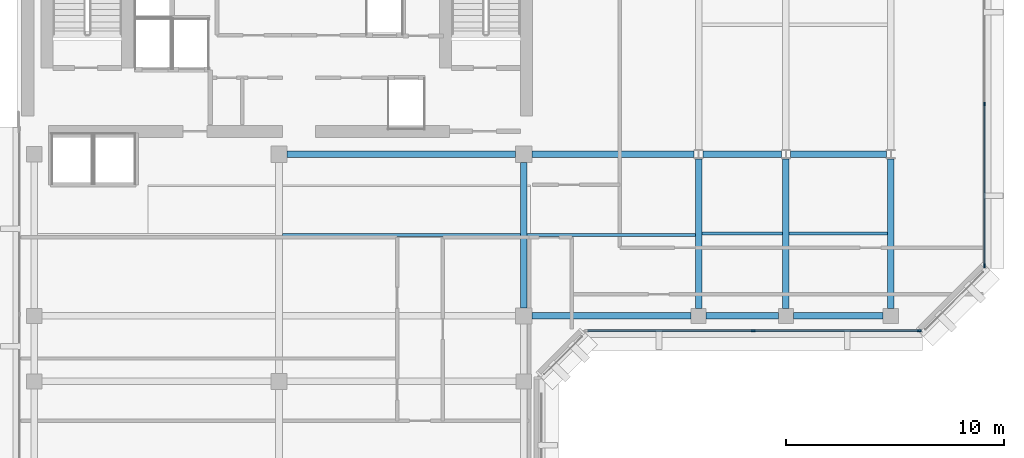
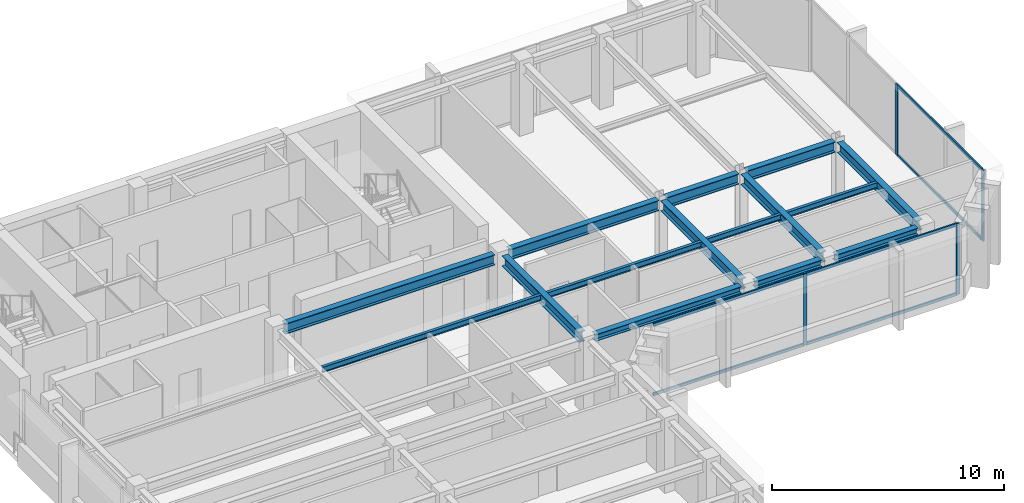
# One storey, part 3 of 11: 15 beams, 10 members, 2 elements without a shape of their own.
"""IFC4 building model written with IfcOpenShell, lengths in metres."""

from ifc_helpers import new_model, si_unit, direction, frame, origin, origin_2d, place, context, subcontext, project, spatial, rectangle, i_section, extrude, material, layer, layer_set, material_profile, profile_set, type_object, element, aggregate, save


model = new_model("IFC4")

# Units and contexts
model_context = context("Model", 3, precision=1e-05, world=origin(), true_north=direction((0.0, 1.0)))
body_context = subcontext(model_context, "Body", "Model", "MODEL_VIEW")
ifc_project = project(units=[si_unit("LENGTHUNIT", "METRE"), si_unit("AREAUNIT", "SQUARE_METRE"), si_unit("VOLUMEUNIT", "CUBIC_METRE"), si_unit("PLANEANGLEUNIT", "RADIAN"), si_unit("MASSUNIT", "GRAM", prefix="KILO")], contexts=[model_context])

# Site, building, storey
site_placement = place(None, origin())
site = spatial("IfcSite", under=ifc_project, at=site_placement, CompositionType="ELEMENT")
building_placement = place(site_placement, origin())
building = spatial("IfcBuilding", under=site, at=building_placement, Name="Kefirva Bronze Tower", CompositionType="ELEMENT")
storey_placement = place(building_placement, frame((0.0, 0.0, 323.72998046875)))
storey = spatial("IfcBuildingStorey", under=building, at=storey_placement, Name="L79", CompositionType="ELEMENT", Elevation=323.72998046875)

# Curtain wall, members
ifc_material_1 = material(Name="Bronze anodised aluminium", Category="aluminium")
ifc_layer = layer(ifc_material_1, 0.179931640625, Name="Bronze anodised aluminium")
ifc_layer_set = layer_set([ifc_layer], Name="Bronze anodised aluminium")
curtain_wall_type = type_object("IfcCurtainWallType", Name="Unitised Bronze Ribbon Curtain Wall Zone 4", PredefinedType="USERDEFINED", material=ifc_layer_set)
curtain_wall_1_placement = place(storey_placement, origin())
curtain_wall_1 = element("IfcCurtainWall", 1, at=curtain_wall_1_placement, inside=storey, type_object=curtain_wall_type, Name="L79 Curtain Wall 2", ObjectType="UNITISED CURTAIN WALL", PredefinedType="USERDEFINED")
ifc_material_profile_1 = material_profile(ifc_material_1, rectangle(XDim=0.074951171875, YDim=0.179931640625, at=origin_2d()), Name="ALU 75x180")
ifc_profile_set_1 = profile_set([ifc_material_profile_1], Name="Bronze anodised aluminium")
member_type_1 = type_object("IfcMemberType", Name="Bronze Mullion 75x180", PredefinedType="MULLION", material=ifc_profile_set_1)
member_1_placement = place(storey_placement, frame((33.699951171875, 25.1201171875, 0.0), z_axis=(0.0, 0.0, 1.0), x_axis=(0.0, 1.0, 0.0)))
member_1 = element("IfcMember", 2, at=member_1_placement, type_object=member_type_1, Name="CW-04 mullion 2", PredefinedType="MULLION", context=body_context, shape_type="SweptSolid", body=[
    extrude(rectangle(XDim=0.074951171875, YDim=0.179931640625, at=origin_2d()), origin(), (0.0, 0.0, 1.0), 3.739990234375),
])
member_2_placement = place(storey_placement, frame((41.3076171875, 25.1201171875, 0.0), z_axis=(0.0, 0.0, 1.0), x_axis=(0.0, 1.0, 0.0)))
member_2 = element("IfcMember", 3, at=member_2_placement, type_object=member_type_1, Name="CW-04 mullion 3", PredefinedType="MULLION", context=body_context, shape_type="SweptSolid", body=[
    extrude(rectangle(XDim=0.074951171875, YDim=0.179931640625, at=origin_2d()), origin(), (0.0, 0.0, 1.0), 3.739990234375),
])

curtain_wall_2_placement = place(storey_placement, origin())
curtain_wall_2 = element("IfcCurtainWall", 4, at=curtain_wall_2_placement, inside=storey, type_object=curtain_wall_type, Name="L79 Curtain Wall 3", ObjectType="UNITISED CURTAIN WALL", PredefinedType="USERDEFINED")
member_3_placement = place(storey_placement, frame((44.280029296875, 28.092529296875, 0.0), z_axis=(0.0, 0.0, 1.0), x_axis=(-1.0, 0.0, 0.0)))
member_3 = element("IfcMember", 5, at=member_3_placement, type_object=member_type_1, Name="CW-04 mullion 1", PredefinedType="MULLION", context=body_context, shape_type="SweptSolid", body=[
    extrude(rectangle(XDim=0.074951171875, YDim=0.179931640625, at=origin_2d()), origin(), (0.0, 0.0, 1.0), 3.739990234375),
])
member_4_placement = place(storey_placement, frame((44.280029296875, 35.5, 0.0), z_axis=(0.0, 0.0, 1.0), x_axis=(-1.0, 0.0, 0.0)))
member_4 = element("IfcMember", 6, at=member_4_placement, type_object=member_type_1, Name="CW-04 mullion 2", PredefinedType="MULLION", context=body_context, shape_type="SweptSolid", body=[
    extrude(rectangle(XDim=0.074951171875, YDim=0.179931640625, at=origin_2d()), origin(), (0.0, 0.0, 1.0), 3.739990234375),
])

# Member
ifc_material_profile_2 = material_profile(ifc_material_1, rectangle(XDim=0.074951171875, YDim=0.14990234375, at=origin_2d()), Name="ALU 75x150")
ifc_profile_set_2 = profile_set([ifc_material_profile_2], Name="Bronze anodised aluminium")
member_type_2 = type_object("IfcMemberType", Name="Bronze Transom 75x150", PredefinedType="USERDEFINED", material=ifc_profile_set_2)
member_5_placement = place(storey_placement, frame((26.1298828125, 25.1201171875, 0.03759765625), z_axis=(1.0, 0.0, 0.0), x_axis=(0.0, 1.0, 0.0)))
member_5 = element("IfcMember", 7, at=member_5_placement, type_object=member_type_2, Name="CW-04 transom 1.1", ObjectType="TRANSOM", PredefinedType="USERDEFINED", context=body_context, shape_type="SweptSolid", body=[
    extrude(rectangle(XDim=0.074951171875, YDim=0.14990234375, at=origin_2d()), origin(), (0.0, 0.0, 1.0), 7.53271484375),
])

member_6_placement = place(storey_placement, frame((26.1298828125, 25.1201171875, 3.70263671875), z_axis=(1.0, 0.0, 0.0), x_axis=(0.0, 1.0, 0.0)))
member_6 = element("IfcMember", 8, at=member_6_placement, type_object=member_type_2, Name="CW-04 transom 1.2", ObjectType="TRANSOM", PredefinedType="USERDEFINED", context=body_context, shape_type="SweptSolid", body=[
    extrude(rectangle(XDim=0.074951171875, YDim=0.14990234375, at=origin_2d()), origin(), (0.0, 0.0, 1.0), 7.53271484375),
])

member_7_placement = place(storey_placement, frame((33.737548828125, 25.1201171875, 0.03759765625), z_axis=(1.0, 0.0, 0.0), x_axis=(0.0, 1.0, 0.0)))
member_7 = element("IfcMember", 9, at=member_7_placement, type_object=member_type_2, Name="CW-04 transom 2.1", ObjectType="TRANSOM", PredefinedType="USERDEFINED", context=body_context, shape_type="SweptSolid", body=[
    extrude(rectangle(XDim=0.074951171875, YDim=0.14990234375, at=origin_2d()), origin(), (0.0, 0.0, 1.0), 7.532470703125),
])

member_8_placement = place(storey_placement, frame((33.737548828125, 25.1201171875, 3.70263671875), z_axis=(1.0, 0.0, 0.0), x_axis=(0.0, 1.0, 0.0)))
member_8 = element("IfcMember", 10, at=member_8_placement, type_object=member_type_2, Name="CW-04 transom 2.2", ObjectType="TRANSOM", PredefinedType="USERDEFINED", context=body_context, shape_type="SweptSolid", body=[
    extrude(rectangle(XDim=0.074951171875, YDim=0.14990234375, at=origin_2d()), origin(), (0.0, 0.0, 1.0), 7.532470703125),
])

aggregate(curtain_wall_1, [member_1, member_2, member_5, member_6, member_7, member_8])

member_9_placement = place(storey_placement, frame((44.280029296875, 28.1298828125, 0.03759765625), z_axis=(0.0, 1.0, 0.0), x_axis=(-1.0, 0.0, 0.0)))
member_9 = element("IfcMember", 11, at=member_9_placement, type_object=member_type_2, Name="CW-04 transom 1.1", ObjectType="TRANSOM", PredefinedType="USERDEFINED", context=body_context, shape_type="SweptSolid", body=[
    extrude(rectangle(XDim=0.074951171875, YDim=0.14990234375, at=origin_2d()), origin(), (0.0, 0.0, 1.0), 7.33251953125),
])

member_10_placement = place(storey_placement, frame((44.280029296875, 28.1298828125, 3.70263671875), z_axis=(0.0, 1.0, 0.0), x_axis=(-1.0, 0.0, 0.0)))
member_10 = element("IfcMember", 12, at=member_10_placement, type_object=member_type_2, Name="CW-04 transom 1.2", ObjectType="TRANSOM", PredefinedType="USERDEFINED", context=body_context, shape_type="SweptSolid", body=[
    extrude(rectangle(XDim=0.074951171875, YDim=0.14990234375, at=origin_2d()), origin(), (0.0, 0.0, 1.0), 7.33251953125),
])

aggregate(curtain_wall_2, [member_3, member_4, member_9, member_10])

# Beams
ifc_material_2 = material(Name="Steel S355", Category="steel")
ifc_material_profile_3 = material_profile(ifc_material_2, i_section(OverallWidth=0.14990234375, OverallDepth=0.300048828125, WebThickness=0.007080078125, FlangeThickness=0.0107421875, at=origin_2d()), Name="IPE 300")
ifc_profile_set_3 = profile_set([ifc_material_profile_3], Name="Steel S355")
beam_type_1 = type_object("IfcBeamType", Name="Steel Floor Joist IPE 300", PredefinedType="JOIST", material=ifc_profile_set_3)
beam_1_placement = place(storey_placement, frame((12.14990234375, 29.5, 3.590087890625), z_axis=(1.0, 0.0, 0.0), x_axis=(0.0, 1.0, 0.0)))
element("IfcBeam", 13, at=beam_1_placement, inside=storey, type_object=beam_type_1, Name="L79 JST-L79-12-295", PredefinedType="JOIST", context=body_context, shape_type="SweptSolid", body=[
    extrude(i_section(OverallWidth=0.14990234375, OverallDepth=0.300048828125, WebThickness=0.007080078125, FlangeThickness=0.0107421875, at=origin_2d()), origin(), (0.0, 0.0, 1.0), 10.900146484375),
])
beam_2_placement = place(storey_placement, frame((23.35009765625, 29.5, 3.590087890625), z_axis=(1.0, 0.0, 0.0), x_axis=(0.0, 1.0, 0.0)))
element("IfcBeam", 14, at=beam_2_placement, inside=storey, type_object=beam_type_1, Name="L79 JST-L79-23-295", PredefinedType="JOIST", context=body_context, shape_type="SweptSolid", body=[
    extrude(i_section(OverallWidth=0.14990234375, OverallDepth=0.300048828125, WebThickness=0.007080078125, FlangeThickness=0.0107421875, at=origin_2d()), origin(), (0.0, 0.0, 1.0), 7.699951171875),
])
beam_3_placement = place(storey_placement, frame((31.35009765625, 29.571044921875, 3.590087890625), z_axis=(1.0, 0.0, 0.0), x_axis=(0.0, 1.0, 0.0)))
element("IfcBeam", 15, at=beam_3_placement, inside=storey, type_object=beam_type_1, Name="L79 JST-L79-31-295", PredefinedType="JOIST", context=body_context, shape_type="SweptSolid", body=[
    extrude(i_section(OverallWidth=0.14990234375, OverallDepth=0.300048828125, WebThickness=0.007080078125, FlangeThickness=0.0107421875, at=origin_2d()), origin(), (0.0, 0.0, 1.0), 3.699951171875),
])
beam_4_placement = place(storey_placement, frame((35.35009765625, 29.571044921875, 3.590087890625), z_axis=(1.0, 0.0, 0.0), x_axis=(0.0, 1.0, 0.0)))
element("IfcBeam", 16, at=beam_4_placement, inside=storey, type_object=beam_type_1, Name="L79 JST-L79-35-295", PredefinedType="JOIST", context=body_context, shape_type="SweptSolid", body=[
    extrude(i_section(OverallWidth=0.14990234375, OverallDepth=0.300048828125, WebThickness=0.007080078125, FlangeThickness=0.0107421875, at=origin_2d()), origin(), (0.0, 0.0, 1.0), 4.5),
])
ifc_material_profile_4 = material_profile(ifc_material_2, i_section(OverallWidth=0.300048828125, OverallDepth=0.550048828125, WebThickness=0.014892578125, FlangeThickness=0.029052734375, at=origin_2d()), Name="HEB 550")
ifc_profile_set_4 = profile_set([ifc_material_profile_4], Name="Steel S355")
beam_type_2 = type_object("IfcBeamType", Name="Steel Girder HEB 550", PredefinedType="USERDEFINED", material=ifc_profile_set_4)
beam_5_placement = place(storey_placement, frame((12.3701171875, 33.199951171875, 3.465087890625), z_axis=(1.0, 0.0, 0.0), x_axis=(0.0, 1.0, 0.0)))
element("IfcBeam", 17, at=beam_5_placement, inside=storey, type_object=beam_type_2, Name="L79 BM-L79-EW-12-332", ObjectType="GIRDER", PredefinedType="USERDEFINED", context=body_context, shape_type="SweptSolid", body=[
    extrude(i_section(OverallWidth=0.300048828125, OverallDepth=0.550048828125, WebThickness=0.014892578125, FlangeThickness=0.029052734375, at=origin_2d()), origin(), (0.0, 0.0, 1.0), 10.4599609375),
])
beam_6_placement = place(storey_placement, frame((23.570068359375, 33.199951171875, 3.465087890625), z_axis=(1.0, 0.0, 0.0), x_axis=(0.0, 1.0, 0.0)))
element("IfcBeam", 18, at=beam_6_placement, inside=storey, type_object=beam_type_2, Name="L79 BM-L79-EW-23-332", ObjectType="GIRDER", PredefinedType="USERDEFINED", context=body_context, shape_type="SweptSolid", body=[
    extrude(i_section(OverallWidth=0.300048828125, OverallDepth=0.550048828125, WebThickness=0.014892578125, FlangeThickness=0.029052734375, at=origin_2d()), origin(), (0.0, 0.0, 1.0), 7.427001953125),
])
beam_7_placement = place(storey_placement, frame((31.403076171875, 33.199951171875, 3.465087890625), z_axis=(1.0, 0.0, 0.0), x_axis=(0.0, 1.0, 0.0)))
element("IfcBeam", 19, at=beam_7_placement, inside=storey, type_object=beam_type_2, Name="L79 BM-L79-EW-31-332", ObjectType="GIRDER", PredefinedType="USERDEFINED", context=body_context, shape_type="SweptSolid", body=[
    extrude(i_section(OverallWidth=0.300048828125, OverallDepth=0.550048828125, WebThickness=0.014892578125, FlangeThickness=0.029052734375, at=origin_2d()), origin(), (0.0, 0.0, 1.0), 3.593994140625),
])
beam_8_placement = place(storey_placement, frame((35.403076171875, 33.199951171875, 3.465087890625), z_axis=(1.0, 0.0, 0.0), x_axis=(0.0, 1.0, 0.0)))
element("IfcBeam", 20, at=beam_8_placement, inside=storey, type_object=beam_type_2, Name="L79 BM-L79-EW-35-332", ObjectType="GIRDER", PredefinedType="USERDEFINED", context=body_context, shape_type="SweptSolid", body=[
    extrude(i_section(OverallWidth=0.300048828125, OverallDepth=0.550048828125, WebThickness=0.014892578125, FlangeThickness=0.029052734375, at=origin_2d()), origin(), (0.0, 0.0, 1.0), 4.39404296875),
])
beam_9_placement = place(storey_placement, frame((23.199951171875, 26.169921875, 3.465087890625), z_axis=(0.0, 1.0, 0.0), x_axis=(-1.0, 0.0, 0.0)))
element("IfcBeam", 21, at=beam_9_placement, inside=storey, type_object=beam_type_2, Name="L79 BM-L79-NS-232-25", ObjectType="GIRDER", PredefinedType="USERDEFINED", context=body_context, shape_type="SweptSolid", body=[
    extrude(i_section(OverallWidth=0.300048828125, OverallDepth=0.550048828125, WebThickness=0.014892578125, FlangeThickness=0.029052734375, at=origin_2d()), origin(), (0.0, 0.0, 1.0), 6.66015625),
])
for number, where, z_axis, x_axis, name in (
    (22, (31.199951171875, 26.14990234375, 3.465087890625), (0.0, 1.0, 0.0), (-1.0, 0.0, 0.0), "L79 BM-L79-NS-312-25"),
    (23, (35.199951171875, 26.14990234375, 3.465087890625), (0.0, 1.0, 0.0), (-1.0, 0.0, 0.0), "L79 BM-L79-NS-352-25"),
    (24, (40.0, 26.14990234375, 3.465087890625), (0.0, 1.0, 0.0), (-1.0, 0.0, 0.0), "L79 BM-L79-NS-400-25"),
):
    element("IfcBeam", number, at=place(storey_placement, frame(where, z_axis=z_axis, x_axis=x_axis)), inside=storey, type_object=beam_type_2, Name=name, ObjectType="GIRDER", PredefinedType="USERDEFINED", context=body_context, shape_type="SweptSolid", body=[
        extrude(i_section(OverallWidth=0.300048828125, OverallDepth=0.550048828125, WebThickness=0.014892578125, FlangeThickness=0.029052734375, at=origin_2d()), origin(), (0.0, 0.0, 1.0), 6.842041015625),
    ])
ifc_material_profile_5 = material_profile(ifc_material_2, i_section(OverallWidth=0.300048828125, OverallDepth=0.360107421875, WebThickness=0.012451171875, FlangeThickness=0.0224609375, at=origin_2d()), Name="HEB 360")
ifc_profile_set_5 = profile_set([ifc_material_profile_5], Name="Steel S355")
beam_type_3 = type_object("IfcBeamType", Name="Steel Spandrel HEB 360 Ext", PredefinedType="SPANDREL", material=ifc_profile_set_5)
beam_10_placement = place(storey_placement, frame((23.570068359375, 25.800048828125, 3.56005859375), z_axis=(1.0, 0.0, 0.0), x_axis=(0.0, 1.0, 0.0)))
element("IfcBeam", 25, at=beam_10_placement, inside=storey, type_object=beam_type_3, Name="L79 BM-L79-EW-23-258", PredefinedType="SPANDREL", context=body_context, shape_type="SweptSolid", body=[
    extrude(i_section(OverallWidth=0.300048828125, OverallDepth=0.360107421875, WebThickness=0.012451171875, FlangeThickness=0.0224609375, at=origin_2d()), origin(), (0.0, 0.0, 1.0), 7.280029296875),
])
beam_11_placement = place(storey_placement, frame((31.550048828125, 25.800048828125, 3.56005859375), z_axis=(1.0, 0.0, 0.0), x_axis=(0.0, 1.0, 0.0)))
element("IfcBeam", 26, at=beam_11_placement, inside=storey, type_object=beam_type_3, Name="L79 BM-L79-EW-31-258", PredefinedType="SPANDREL", context=body_context, shape_type="SweptSolid", body=[
    extrude(i_section(OverallWidth=0.300048828125, OverallDepth=0.360107421875, WebThickness=0.012451171875, FlangeThickness=0.0224609375, at=origin_2d()), origin(), (0.0, 0.0, 1.0), 3.300048828125),
])
beam_12_placement = place(storey_placement, frame((35.550048828125, 25.800048828125, 3.56005859375), z_axis=(1.0, 0.0, 0.0), x_axis=(0.0, 1.0, 0.0)))
element("IfcBeam", 27, at=beam_12_placement, inside=storey, type_object=beam_type_3, Name="L79 BM-L79-EW-35-258", PredefinedType="SPANDREL", context=body_context, shape_type="SweptSolid", body=[
    extrude(i_section(OverallWidth=0.300048828125, OverallDepth=0.360107421875, WebThickness=0.012451171875, FlangeThickness=0.0224609375, at=origin_2d()), origin(), (0.0, 0.0, 1.0), 4.099853515625),
])

save(model, "model.ifc")
